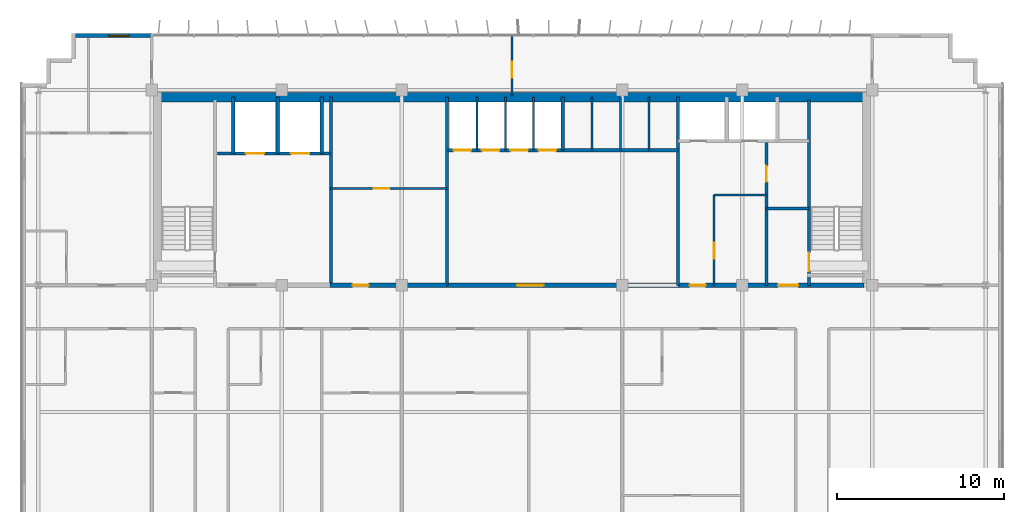
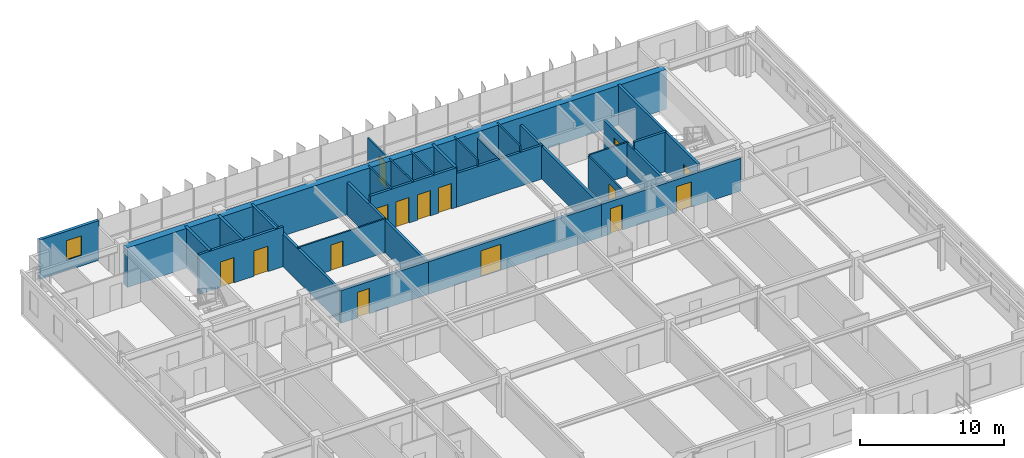
# One storey, part 21 of 24: 28 walls, 15 doors, 1 window, 16 openings.
"""IFC4 building model written with IfcOpenShell, lengths in metres."""

from ifc_helpers import new_model, si_unit, direction, frame, frame_2d, origin, place, context, subcontext, project, spatial, rectangle, extrude, source, transform, mapped, material, layer, layer_set, type_object, element, fill, save


model = new_model("IFC4")

# Units and contexts
model_context = context("Model", 3, precision=1e-05, world=origin(), true_north=direction((0.0, 1.0)))
body_context = subcontext(model_context, "Body", "Model", "MODEL_VIEW")
ifc_project = project(units=[si_unit("LENGTHUNIT", "METRE"), si_unit("AREAUNIT", "SQUARE_METRE"), si_unit("VOLUMEUNIT", "CUBIC_METRE"), si_unit("PLANEANGLEUNIT", "RADIAN"), si_unit("MASSUNIT", "GRAM", prefix="KILO")], contexts=[model_context])

# Site, building, storey
site_placement = place(None, origin())
site = spatial("IfcSite", under=ifc_project, at=site_placement, CompositionType="ELEMENT")
building_placement = place(site_placement, origin())
building = spatial("IfcBuilding", under=site, at=building_placement, Name="Trelvane Seafront Commons", CompositionType="ELEMENT")
storey_placement = place(building_placement, frame((0.0, 0.0, 175.300048828125)))
storey = spatial("IfcBuildingStorey", under=building, at=storey_placement, Name="L46", CompositionType="ELEMENT", Elevation=175.300048828125)

# Wall, opening, window
ifc_material_1 = material(Name="Precast concrete C40/50", Category="concrete")
ifc_layer_1 = layer(ifc_material_1, 0.239990234375, Name="ARCH-WALL-EXT240")
ifc_layer_set_1 = layer_set([ifc_layer_1], Name="Precast concrete C40/50")
wall_type_1 = type_object("IfcWallType", Name="ARCH-WALL-EXT240", PredefinedType="SOLIDWALL", material=ifc_layer_set_1)
wall_1_placement = place(storey_placement, frame((10.89990234375, 48.3701171875, 0.0), z_axis=(0.0, 0.0, 1.0), x_axis=(1.0, 0.0, 0.0)))
wall_1 = element("IfcWall", 1, at=wall_1_placement, inside=storey, type_object=wall_type_1, Name="EW-L46-NW-0909", PredefinedType="SOLIDWALL", context=body_context, shape_type="SweptSolid", body=[
    extrude(rectangle(XDim=4.7001953125, YDim=0.239990234375, at=frame_2d((2.35009765625, 0.0))), origin(), (0.0, 0.0, 1.0), 3.349853515625),
])
opening_1_placement = place(wall_1_placement, frame((2.132080078125, 0.0, 0.89990234375)))
opening_1 = element("IfcOpeningElement", 2, at=opening_1_placement, cuts=wall_1, Name="Opening W05", PredefinedType="OPENING", context=body_context, shape_type="SweptSolid", body=[
    extrude(rectangle(XDim=1.199951171875, YDim=1.64990234375, at=frame_2d((0.60009765625, 0.824951171875))), frame((0.0, 0.1298828125, 0.0), z_axis=(0.0, -1.0, 0.0), x_axis=(1.0, 0.0, 0.0)), (0.0, 0.0, 1.0), 0.260009765625),
])
ifc_material_2 = material(Name="Low-E coastal double glazing", Category="glass")
window_type = type_object("IfcWindowType", Name="ARCH-WIN-W05", PartitioningType="SINGLE_PANEL", PredefinedType="WINDOW", material=ifc_material_2)
shared_shape_1 = source(origin(), body_context, "Body", "SweptSolid", [
    extrude(rectangle(XDim=1.199951171875, YDim=1.64990234375, at=frame_2d((0.60009765625, 0.824951171875))), frame((0.0, 0.030029296875, 0.0), z_axis=(0.0, -1.0, 0.0), x_axis=(1.0, 0.0, 0.0)), (0.0, 0.0, 1.0), 0.06005859375),
])
window_placement = place(opening_1_placement, origin())
window = element("IfcWindow", 3, at=window_placement, inside=storey, type_object=window_type, Name="WIN-L46-01090", OverallHeight=1.64990234375, OverallWidth=1.199951171875, PartitioningType="SINGLE_PANEL", PredefinedType="WINDOW", context=body_context, shape_type="MappedRepresentation", body=[
    mapped(shared_shape_1, transform((0.0, 0.0, 0.0), x_axis=(1.0, 0.0, 0.0), y_axis=(0.0, 1.0, 0.0), z_axis=(0.0, 0.0, 1.0), scale=1.0)),
])
fill(opening_1, window)

# Wall, opening, door
ifc_material_3 = material(Name="Concrete C40/50", Category="concrete")
ifc_layer_2 = layer(ifc_material_3, 0.199951171875, Name="ARCH-WALL-FIRE200")
ifc_layer_set_2 = layer_set([ifc_layer_2], Name="Concrete C40/50")
wall_type_2 = type_object("IfcWallType", Name="ARCH-WALL-FIRE200", PredefinedType="PARTITIONING", material=ifc_layer_set_2)
wall_2_placement = place(storey_placement, frame((52.449951171875, 33.39990234375, 0.0), z_axis=(0.0, 0.0, 1.0), x_axis=(0.0, 1.0, 0.0)))
wall_2 = element("IfcWall", 4, at=wall_2_placement, inside=storey, type_object=wall_type_2, Name="W-L46-ST2V-W-031", PredefinedType="PARTITIONING", context=body_context, shape_type="SweptSolid", body=[
    extrude(rectangle(XDim=8.650146484375, YDim=0.199951171875, at=frame_2d((4.3251953125, 0.0))), origin(), (0.0, 0.0, 1.0), 2.75),
])
opening_2_placement = place(wall_2_placement, frame((6.199951171875, 0.0, 0.0)))
opening_2 = element("IfcOpeningElement", 5, at=opening_2_placement, cuts=wall_2, Name="Opening FD-L46-15", PredefinedType="OPENING", context=body_context, shape_type="SweptSolid", body=[
    extrude(rectangle(XDim=0.949951171875, YDim=2.14990234375, at=frame_2d((0.47509765625, 1.074951171875))), frame((0.0, 0.10986328125, 0.0), z_axis=(0.0, -1.0, 0.0), x_axis=(1.0, 0.0, 0.0)), (0.0, 0.0, 1.0), 0.219970703125),
])
ifc_material_4 = material(Name="Powder-coated aluminium frame", Category="aluminium")
door_type_1 = type_object("IfcDoorType", Name="ARCH-DR-FD60-950", OperationType="NOTDEFINED", PredefinedType="DOOR", material=ifc_material_4)
shared_shape_2 = source(origin(), body_context, "Body", "SweptSolid", [
    extrude(rectangle(XDim=0.949951171875, YDim=2.14990234375, at=frame_2d((0.47509765625, 1.074951171875))), frame((0.0, 0.02490234375, 0.0), z_axis=(0.0, -1.0, 0.0), x_axis=(1.0, 0.0, 0.0)), (0.0, 0.0, 1.0), 0.050048828125),
])
door_1_placement = place(opening_2_placement, origin())
door_1 = element("IfcDoor", 6, at=door_1_placement, inside=storey, type_object=door_type_1, Name="L46 Cleaner Store Door", OperationType="SINGLE_SWING_LEFT", OverallHeight=2.14990234375, OverallWidth=0.949951171875, PredefinedType="DOOR", context=body_context, shape_type="MappedRepresentation", body=[
    mapped(shared_shape_2, transform((0.0, 0.0, 0.0), x_axis=(1.0, 0.0, 0.0), y_axis=(0.0, 1.0, 0.0), z_axis=(0.0, 0.0, 1.0), scale=1.0)),
])
fill(opening_2, door_1)

# Wall
wall_3_placement = place(storey_placement, frame((52.449951171875, 38.0, 0.0), z_axis=(0.0, 0.0, 1.0), x_axis=(1.0, 0.0, 0.0)))
element("IfcWall", 7, at=wall_3_placement, inside=storey, type_object=wall_type_2, Name="W-L46-ST2V-N-032", PredefinedType="PARTITIONING", context=body_context, shape_type="SweptSolid", body=[
    extrude(rectangle(XDim=2.550048828125, YDim=0.199951171875, at=frame_2d((1.27490234375, 0.0))), origin(), (0.0, 0.0, 1.0), 3.349853515625),
])

# Wall, opening, door
ifc_layer_3 = layer(ifc_material_3, 0.25, Name="ARCH-WALL-FIRE250")
ifc_layer_set_3 = layer_set([ifc_layer_3], Name="Concrete C40/50")
wall_type_3 = type_object("IfcWallType", Name="ARCH-WALL-FIRE250", PredefinedType="PARTITIONING", material=ifc_layer_set_3)
wall_4_placement = place(storey_placement, frame((26.300048828125, 33.39990234375, 0.0), z_axis=(0.0, 0.0, 1.0), x_axis=(1.0, 0.0, 0.0)))
wall_4 = element("IfcWall", 8, at=wall_4_placement, inside=storey, type_object=wall_type_3, Name="W-L46-CS-FPL-026", PredefinedType="PARTITIONING", context=body_context, shape_type="SweptSolid", body=[
    extrude(rectangle(XDim=7.0, YDim=0.25, at=frame_2d((3.5, 0.0))), origin(), (0.0, 0.0, 1.0), 2.75),
])
opening_3_placement = place(wall_4_placement, frame((1.35009765625, 0.0, 0.0)))
opening_3 = element("IfcOpeningElement", 9, at=opening_3_placement, cuts=wall_4, Name="Opening D-L46-11", PredefinedType="OPENING", context=body_context, shape_type="SweptSolid", body=[
    extrude(rectangle(XDim=0.949951171875, YDim=2.14990234375, at=frame_2d((0.47509765625, 1.074951171875))), frame((0.0, 0.135009765625, 0.0), z_axis=(0.0, -1.0, 0.0), x_axis=(1.0, 0.0, 0.0)), (0.0, 0.0, 1.0), 0.27001953125),
])
ifc_material_5 = material(Name="Acoustic timber door leaf", Category="wood")
door_type_2 = type_object("IfcDoorType", Name="ARCH-DR-INT950", OperationType="NOTDEFINED", PredefinedType="DOOR", material=ifc_material_5)
door_2_placement = place(opening_3_placement, origin())
door_2 = element("IfcDoor", 10, at=door_2_placement, inside=storey, type_object=door_type_2, Name="L46 Floor Pantry Entrance Door", OperationType="SINGLE_SWING_LEFT", OverallHeight=2.14990234375, OverallWidth=0.949951171875, PredefinedType="DOOR", context=body_context, shape_type="MappedRepresentation", body=[
    mapped(shared_shape_2, transform((0.0, 0.0, 0.0), x_axis=(1.0, 0.0, 0.0), y_axis=(0.0, 1.0, 0.0), z_axis=(0.0, 0.0, 1.0), scale=1.0)),
])
fill(opening_3, door_2)

wall_5_placement = place(storey_placement, frame((33.300048828125, 33.39990234375, 0.0), z_axis=(0.0, 0.0, 1.0), x_axis=(1.0, 0.0, 0.0)))
wall_5 = element("IfcWall", 11, at=wall_5_placement, inside=storey, type_object=wall_type_3, Name="W-L46-CS-PAX-027", PredefinedType="PARTITIONING", context=body_context, shape_type="SweptSolid", body=[
    extrude(rectangle(XDim=13.849853515625, YDim=0.25, at=frame_2d((6.9248046875, 0.0))), origin(), (0.0, 0.0, 1.0), 2.75),
])
opening_4_placement = place(wall_5_placement, frame((4.199951171875, 0.0, 0.0)))
opening_4 = element("IfcOpeningElement", 12, at=opening_4_placement, cuts=wall_5, Name="Opening FD-L46-12", PredefinedType="OPENING", context=body_context, shape_type="SweptSolid", body=[
    extrude(rectangle(XDim=1.60009765625, YDim=2.199951171875, at=frame_2d((0.800048828125, 1.10009765625))), frame((0.0, 0.135009765625, 0.0), z_axis=(0.0, -1.0, 0.0), x_axis=(1.0, 0.0, 0.0)), (0.0, 0.0, 1.0), 0.27001953125),
])
door_type_3 = type_object("IfcDoorType", Name="ARCH-DR-FD60-1600", OperationType="DOUBLE_DOOR_SINGLE_SWING", PredefinedType="DOOR", material=ifc_material_4)
shared_shape_3 = source(origin(), body_context, "Body", "SweptSolid", [
    extrude(rectangle(XDim=1.60009765625, YDim=2.199951171875, at=frame_2d((0.800048828125, 1.10009765625))), frame((0.0, 0.02490234375, 0.0), z_axis=(0.0, -1.0, 0.0), x_axis=(1.0, 0.0, 0.0)), (0.0, 0.0, 1.0), 0.050048828125),
])
door_3_placement = place(opening_4_placement, origin())
door_3 = element("IfcDoor", 13, at=door_3_placement, inside=storey, type_object=door_type_3, Name="L46 Passenger Lift Lobby Double Door", OperationType="DOUBLE_DOOR_SINGLE_SWING", OverallHeight=2.199951171875, OverallWidth=1.60009765625, PredefinedType="DOOR", context=body_context, shape_type="MappedRepresentation", body=[
    mapped(shared_shape_3, transform((0.0, 0.0, 0.0), x_axis=(1.0, 0.0, 0.0), y_axis=(0.0, 1.0, 0.0), z_axis=(0.0, 0.0, 1.0), scale=1.0)),
])
fill(opening_4, door_3)

# Wall, openings, doors
wall_6_placement = place(storey_placement, frame((47.14990234375, 33.39990234375, 0.0), z_axis=(0.0, 0.0, 1.0), x_axis=(1.0, 0.0, 0.0)))
wall_6 = element("IfcWall", 14, at=wall_6_placement, inside=storey, type_object=wall_type_3, Name="W-L46-CS-EAST-035", PredefinedType="PARTITIONING", context=body_context, shape_type="SweptSolid", body=[
    extrude(rectangle(XDim=11.150146484375, YDim=0.25, at=frame_2d((5.5751953125, 0.0))), origin(), (0.0, 0.0, 1.0), 2.75),
])
opening_5_placement = place(wall_6_placement, frame((0.699951171875, 0.0, 0.0)))
opening_5 = element("IfcOpeningElement", 15, at=opening_5_placement, cuts=wall_6, Name="Opening FD-L46-17", PredefinedType="OPENING", context=body_context, shape_type="SweptSolid", body=[
    extrude(rectangle(XDim=0.949951171875, YDim=2.14990234375, at=frame_2d((0.47509765625, 1.074951171875))), frame((0.0, 0.135009765625, 0.0), z_axis=(0.0, -1.0, 0.0), x_axis=(1.0, 0.0, 0.0)), (0.0, 0.0, 1.0), 0.27001953125),
])
opening_6_placement = place(wall_6_placement, frame((6.0, 0.0, 0.0)))
opening_6 = element("IfcOpeningElement", 16, at=opening_6_placement, cuts=wall_6, Name="Opening FD-L46-18", PredefinedType="OPENING", context=body_context, shape_type="SweptSolid", body=[
    extrude(rectangle(XDim=1.199951171875, YDim=2.14990234375, at=frame_2d((0.60009765625, 1.074951171875))), frame((0.0, 0.135009765625, 0.0), z_axis=(0.0, -1.0, 0.0), x_axis=(1.0, 0.0, 0.0)), (0.0, 0.0, 1.0), 0.27001953125),
])
door_4_placement = place(opening_5_placement, origin())
door_4 = element("IfcDoor", 17, at=door_4_placement, inside=storey, type_object=door_type_1, Name="L46 Core Service Lobby Door", OperationType="SINGLE_SWING_LEFT", OverallHeight=2.14990234375, OverallWidth=0.949951171875, PredefinedType="DOOR", context=body_context, shape_type="MappedRepresentation", body=[
    mapped(shared_shape_2, transform((0.0, 0.0, 0.0), x_axis=(1.0, 0.0, 0.0), y_axis=(0.0, 1.0, 0.0), z_axis=(0.0, 0.0, 1.0), scale=1.0)),
])
fill(opening_5, door_4)
door_type_4 = type_object("IfcDoorType", Name="ARCH-DR-FD60-1200", OperationType="NOTDEFINED", PredefinedType="DOOR", material=ifc_material_4)
shared_shape_4 = source(origin(), body_context, "Body", "SweptSolid", [
    extrude(rectangle(XDim=1.199951171875, YDim=2.14990234375, at=frame_2d((0.60009765625, 1.074951171875))), frame((0.0, 0.02490234375, 0.0), z_axis=(0.0, -1.0, 0.0), x_axis=(1.0, 0.0, 0.0)), (0.0, 0.0, 1.0), 0.050048828125),
])
door_5_placement = place(opening_6_placement, origin())
door_5 = element("IfcDoor", 18, at=door_5_placement, inside=storey, type_object=door_type_4, Name="L46 East Stair Vestibule Fire Door", OperationType="SINGLE_SWING_RIGHT", OverallHeight=2.14990234375, OverallWidth=1.199951171875, PredefinedType="DOOR", context=body_context, shape_type="MappedRepresentation", body=[
    mapped(shared_shape_4, transform((0.0, 0.0, 0.0), x_axis=(1.0, 0.0, 0.0), y_axis=(0.0, 1.0, 0.0), z_axis=(0.0, 0.0, 1.0), scale=1.0)),
])
fill(opening_6, door_5)

# Wall, opening, door
ifc_material_6 = material(Name="Gypsum Drywall Acoustic Partition")
ifc_layer_4 = layer(ifc_material_6, 0.1201171875, Name="ARCH-WALL-PART120")
ifc_layer_set_4 = layer_set([ifc_layer_4], Name="Gypsum Drywall Acoustic Partition")
wall_type_4 = type_object("IfcWallType", Name="ARCH-WALL-PART120", PredefinedType="PARTITIONING", material=ifc_layer_set_4)
wall_7_placement = place(storey_placement, frame((26.300048828125, 39.199951171875, 0.0), z_axis=(0.0, 0.0, 1.0), x_axis=(1.0, 0.0, 0.0)))
wall_7 = element("IfcWall", 19, at=wall_7_placement, inside=storey, type_object=wall_type_4, Name="W-L46-FREED-PL-MID-014", PredefinedType="PARTITIONING", context=body_context, shape_type="SweptSolid", body=[
    extrude(rectangle(XDim=7.0, YDim=0.1201171875, at=frame_2d((3.5, 0.0))), origin(), (0.0, 0.0, 1.0), 2.849853515625),
])
opening_7_placement = place(wall_7_placement, frame((2.60009765625, 0.0, 0.0)))
opening_7 = element("IfcOpeningElement", 20, at=opening_7_placement, cuts=wall_7, Name="Opening D-L46-06", PredefinedType="OPENING", context=body_context, shape_type="SweptSolid", body=[
    extrude(rectangle(XDim=0.949951171875, YDim=2.14990234375, at=frame_2d((0.47509765625, 1.074951171875))), frame((0.0, 0.070068359375, 0.0), z_axis=(0.0, -1.0, 0.0), x_axis=(1.0, 0.0, 0.0)), (0.0, 0.0, 1.0), 0.14013671875),
])
door_6_placement = place(opening_7_placement, origin())
door_6 = element("IfcDoor", 21, at=door_6_placement, inside=storey, type_object=door_type_2, Name="L46 Housekeeping Store Door", OperationType="SINGLE_SWING_RIGHT", OverallHeight=2.14990234375, OverallWidth=0.949951171875, PredefinedType="DOOR", context=body_context, shape_type="MappedRepresentation", body=[
    mapped(shared_shape_2, transform((0.0, 0.0, 0.0), x_axis=(1.0, 0.0, 0.0), y_axis=(0.0, 1.0, 0.0), z_axis=(0.0, 0.0, 1.0), scale=1.0)),
])
fill(opening_7, door_6)

# Walls
for number, where, z_axis, x_axis, name in (
    (22, (35.10009765625, 41.5, 0.0), (0.0, 0.0, 1.0), (0.0, 1.0, 0.0), "W-L46-PM-DIV1-017"),
    (23, (36.800048828125, 41.5, 0.0), (0.0, 0.0, 1.0), (0.0, 1.0, 0.0), "W-L46-PM-DIV2-018"),
    (24, (38.5, 41.5, 0.0), (0.0, 0.0, 1.0), (0.0, 1.0, 0.0), "W-L46-PM-DIV3-019"),
    (25, (42.0, 41.5, 0.0), (0.0, 0.0, 1.0), (0.0, 1.0, 0.0), "W-L46-PH-DIV1-022"),
):
    element("IfcWall", number, at=place(storey_placement, frame(where, z_axis=z_axis, x_axis=x_axis)), inside=storey, type_object=wall_type_4, Name=name, PredefinedType="PARTITIONING", context=body_context, shape_type="SweptSolid", body=[
        extrude(rectangle(XDim=3.199951171875, YDim=0.1201171875, at=frame_2d((1.60009765625, 0.0))), origin(), (0.0, 0.0, 1.0), 3.349853515625),
    ])
wall_8_placement = place(storey_placement, frame((43.699951171875, 41.5, 0.0), z_axis=(0.0, 0.0, 1.0), x_axis=(0.0, 1.0, 0.0)))
element("IfcWall", 26, at=wall_8_placement, inside=storey, type_object=wall_type_4, Name="W-L46-PH-DIV2-023", PredefinedType="PARTITIONING", context=body_context, shape_type="SweptSolid", body=[
    extrude(rectangle(XDim=3.199951171875, YDim=0.1201171875, at=frame_2d((1.60009765625, 0.0))), origin(), (0.0, 0.0, 1.0), 2.849853515625),
])
wall_9_placement = place(storey_placement, frame((45.39990234375, 41.5, 0.0), z_axis=(0.0, 0.0, 1.0), x_axis=(0.0, 1.0, 0.0)))
element("IfcWall", 27, at=wall_9_placement, inside=storey, type_object=wall_type_4, Name="W-L46-PH-DIV3-024", PredefinedType="PARTITIONING", context=body_context, shape_type="SweptSolid", body=[
    extrude(rectangle(XDim=3.199951171875, YDim=0.1201171875, at=frame_2d((1.60009765625, 0.0))), origin(), (0.0, 0.0, 1.0), 3.349853515625),
])

# Wall, opening, door
wall_10_placement = place(storey_placement, frame((49.320068359375, 33.39990234375, 0.0), z_axis=(0.0, 0.0, 1.0), x_axis=(0.0, 1.0, 0.0)))
wall_10 = element("IfcWall", 28, at=wall_10_placement, inside=storey, type_object=wall_type_4, Name="W-L46-CYC2-V-033", PredefinedType="PARTITIONING", context=body_context, shape_type="SweptSolid", body=[
    extrude(rectangle(XDim=5.420166015625, YDim=0.1201171875, at=frame_2d((2.7099609375, 0.0))), origin(), (0.0, 0.0, 1.0), 2.75),
])
opening_8_placement = place(wall_10_placement, frame((1.60009765625, 0.0, 0.0)))
opening_8 = element("IfcOpeningElement", 29, at=opening_8_placement, cuts=wall_10, Name="Opening D-L46-16", PredefinedType="OPENING", context=body_context, shape_type="SweptSolid", body=[
    extrude(rectangle(XDim=0.949951171875, YDim=2.14990234375, at=frame_2d((0.47509765625, 1.074951171875))), frame((0.0, 0.070068359375, 0.0), z_axis=(0.0, -1.0, 0.0), x_axis=(1.0, 0.0, 0.0)), (0.0, 0.0, 1.0), 0.14013671875),
])
door_7_placement = place(opening_8_placement, origin())
door_7 = element("IfcDoor", 30, at=door_7_placement, inside=storey, type_object=door_type_2, Name="L46 Accessible WC Door", OperationType="SINGLE_SWING_RIGHT", OverallHeight=2.14990234375, OverallWidth=0.949951171875, PredefinedType="DOOR", context=body_context, shape_type="MappedRepresentation", body=[
    mapped(shared_shape_2, transform((0.0, 0.0, 0.0), x_axis=(1.0, 0.0, 0.0), y_axis=(0.0, 1.0, 0.0), z_axis=(0.0, 0.0, 1.0), scale=1.0)),
])
fill(opening_8, door_7)

# Wall
wall_11_placement = place(storey_placement, frame((49.320068359375, 38.820068359375, 0.0), z_axis=(0.0, 0.0, 1.0), x_axis=(1.0, 0.0, 0.0)))
element("IfcWall", 31, at=wall_11_placement, inside=storey, type_object=wall_type_4, Name="W-L46-CYC2-H-034", PredefinedType="PARTITIONING", context=body_context, shape_type="SweptSolid", body=[
    extrude(rectangle(XDim=3.1298828125, YDim=0.1201171875, at=frame_2d((1.56494140625, 0.0))), origin(), (0.0, 0.0, 1.0), 2.849853515625),
])

# Wall, opening, door
wall_12_placement = place(storey_placement, frame((37.199951171875, 44.75, 0.0), z_axis=(0.0, 0.0, 1.0), x_axis=(0.0, 1.0, 0.0)))
wall_12 = element("IfcWall", 32, at=wall_12_placement, inside=storey, type_object=wall_type_4, Name="W-L46-N-MID-DV-043", PredefinedType="PARTITIONING", context=body_context, shape_type="SweptSolid", body=[
    extrude(rectangle(XDim=3.610107421875, YDim=0.1201171875, at=frame_2d((1.80517578125, 0.0))), origin(), (0.0, 0.0, 1.0), 2.75),
])
opening_9_placement = place(wall_12_placement, frame((1.10009765625, 0.0, 0.0)))
opening_9 = element("IfcOpeningElement", 33, at=opening_9_placement, cuts=wall_12, Name="Opening D-L46-24", PredefinedType="OPENING", context=body_context, shape_type="SweptSolid", body=[
    extrude(rectangle(XDim=0.949951171875, YDim=2.14990234375, at=frame_2d((0.47509765625, 1.074951171875))), frame((0.0, 0.070068359375, 0.0), z_axis=(0.0, -1.0, 0.0), x_axis=(1.0, 0.0, 0.0)), (0.0, 0.0, 1.0), 0.14013671875),
])
door_8_placement = place(opening_9_placement, origin())
door_8 = element("IfcDoor", 34, at=door_8_placement, inside=storey, type_object=door_type_2, Name="L46 Door 24", OperationType="SINGLE_SWING_RIGHT", OverallHeight=2.14990234375, OverallWidth=0.949951171875, PredefinedType="DOOR", context=body_context, shape_type="MappedRepresentation", body=[
    mapped(shared_shape_2, transform((0.0, 0.0, 0.0), x_axis=(1.0, 0.0, 0.0), y_axis=(0.0, 1.0, 0.0), z_axis=(0.0, 0.0, 1.0), scale=1.0)),
])
fill(opening_9, door_8)

# Wall, openings, doors
ifc_layer_5 = layer(ifc_material_3, 0.199951171875, Name="ARCH-WALL-SHAFT200")
ifc_layer_set_5 = layer_set([ifc_layer_5], Name="Concrete C40/50")
wall_type_5 = type_object("IfcWallType", Name="ARCH-WALL-SHAFT200", PredefinedType="SOLIDWALL", material=ifc_layer_set_5)
wall_13_placement = place(storey_placement, frame((19.550048828125, 41.300048828125, 0.0), z_axis=(0.0, 0.0, 1.0), x_axis=(1.0, 0.0, 0.0)))
wall_13 = element("IfcWall", 35, at=wall_13_placement, inside=storey, type_object=wall_type_5, Name="W-L46-FFL-FRONT-008", PredefinedType="SOLIDWALL", context=body_context, shape_type="SweptSolid", body=[
    extrude(rectangle(XDim=6.75, YDim=0.199951171875, at=frame_2d((3.375, 0.0))), origin(), (0.0, 0.0, 1.0), 3.349853515625),
])
opening_10_placement = place(wall_13_placement, frame((1.699951171875, 0.0, 0.0)))
opening_10 = element("IfcOpeningElement", 36, at=opening_10_placement, cuts=wall_13, Name="Opening LD-FF1-L46", PredefinedType="OPENING", context=body_context, shape_type="SweptSolid", body=[
    extrude(rectangle(XDim=1.10009765625, YDim=2.14990234375, at=frame_2d((0.550048828125, 1.074951171875))), frame((0.0, 0.10986328125, 0.0), z_axis=(0.0, -1.0, 0.0), x_axis=(1.0, 0.0, 0.0)), (0.0, 0.0, 1.0), 0.219970703125),
])
opening_11_placement = place(wall_13_placement, frame((4.39990234375, 0.0, 0.0)))
opening_11 = element("IfcOpeningElement", 37, at=opening_11_placement, cuts=wall_13, Name="Opening LD-FF2-L46", PredefinedType="OPENING", context=body_context, shape_type="SweptSolid", body=[
    extrude(rectangle(XDim=1.10009765625, YDim=2.14990234375, at=frame_2d((0.550048828125, 1.074951171875))), frame((0.0, 0.10986328125, 0.0), z_axis=(0.0, -1.0, 0.0), x_axis=(1.0, 0.0, 0.0)), (0.0, 0.0, 1.0), 0.219970703125),
])
ifc_material_7 = material(Name="Stainless steel balustrade", Category="steel")
door_type_5 = type_object("IfcDoorType", Name="ARCH-DR-LD1100", OperationType="DOUBLE_DOOR_SLIDING", PredefinedType="DOOR", material=ifc_material_7)
shared_shape_5 = source(origin(), body_context, "Body", "SweptSolid", [
    extrude(rectangle(XDim=1.10009765625, YDim=2.14990234375, at=frame_2d((0.550048828125, 1.074951171875))), frame((0.0, 0.02490234375, 0.0), z_axis=(0.0, -1.0, 0.0), x_axis=(1.0, 0.0, 0.0)), (0.0, 0.0, 1.0), 0.050048828125),
])
door_9_placement = place(opening_10_placement, origin())
door_9 = element("IfcDoor", 38, at=door_9_placement, inside=storey, type_object=door_type_5, Name="L46 Firefighting Lift FFL-1 Landing Door", OperationType="DOUBLE_DOOR_SLIDING", OverallHeight=2.14990234375, OverallWidth=1.10009765625, PredefinedType="DOOR", context=body_context, shape_type="MappedRepresentation", body=[
    mapped(shared_shape_5, transform((0.0, 0.0, 0.0), x_axis=(1.0, 0.0, 0.0), y_axis=(0.0, 1.0, 0.0), z_axis=(0.0, 0.0, 1.0), scale=1.0)),
])
fill(opening_10, door_9)
door_10_placement = place(opening_11_placement, origin())
door_10 = element("IfcDoor", 39, at=door_10_placement, inside=storey, type_object=door_type_5, Name="L46 Firefighting Lift FFL-2 Landing Door", OperationType="DOUBLE_DOOR_SLIDING", OverallHeight=2.14990234375, OverallWidth=1.10009765625, PredefinedType="DOOR", context=body_context, shape_type="MappedRepresentation", body=[
    mapped(shared_shape_5, transform((0.0, 0.0, 0.0), x_axis=(1.0, 0.0, 0.0), y_axis=(0.0, 1.0, 0.0), z_axis=(0.0, 0.0, 1.0), scale=1.0)),
])
fill(opening_11, door_10)

# Walls
for number, where, z_axis, x_axis, name in (
    (40, (20.5, 41.300048828125, 0.0), (0.0, 0.0, 1.0), (0.0, 1.0, 0.0), "W-L46-FFL-SH-W-009"),
    (41, (23.14990234375, 41.300048828125, 0.0), (0.0, 0.0, 1.0), (0.0, 1.0, 0.0), "W-L46-FFL-DIV-010"),
    (42, (25.800048828125, 41.300048828125, 0.0), (0.0, 0.0, 1.0), (0.0, 1.0, 0.0), "W-L46-FFL-SH-E-011"),
):
    element("IfcWall", number, at=place(storey_placement, frame(where, z_axis=z_axis, x_axis=x_axis)), inside=storey, type_object=wall_type_5, Name=name, PredefinedType="SOLIDWALL", context=body_context, shape_type="SweptSolid", body=[
        extrude(rectangle(XDim=3.39990234375, YDim=0.199951171875, at=frame_2d((1.699951171875, 0.0))), origin(), (0.0, 0.0, 1.0), 3.349853515625),
    ])
for number, where, z_axis, x_axis, name in (
    (43, (26.35009765625, 33.39990234375, 0.0), (0.0, 0.0, 1.0), (0.0, 1.0, 0.0), "W-L46-FFL-EAST-012"),
    (44, (33.300048828125, 33.39990234375, 0.0), (0.0, 0.0, 1.0), (0.0, 1.0, 0.0), "W-L46-FREED-PL-E-015"),
):
    element("IfcWall", number, at=place(storey_placement, frame(where, z_axis=z_axis, x_axis=x_axis)), inside=storey, type_object=wall_type_5, Name=name, PredefinedType="SOLIDWALL", context=body_context, shape_type="SweptSolid", body=[
        extrude(rectangle(XDim=11.300048828125, YDim=0.199951171875, at=frame_2d((5.64990234375, 0.0))), origin(), (0.0, 0.0, 1.0), 2.75),
    ])

# Wall, openings, doors
wall_14_placement = place(storey_placement, frame((33.35009765625, 41.5, 0.0), z_axis=(0.0, 0.0, 1.0), x_axis=(1.0, 0.0, 0.0)))
wall_14 = element("IfcWall", 45, at=wall_14_placement, inside=storey, type_object=wall_type_5, Name="W-L46-PM-FRONT-016", PredefinedType="SOLIDWALL", context=body_context, shape_type="SweptSolid", body=[
    extrude(rectangle(XDim=6.89990234375, YDim=0.199951171875, at=frame_2d((3.449951171875, 0.0))), origin(), (0.0, 0.0, 1.0), 3.349853515625),
])
opening_12_placement = place(wall_14_placement, frame((0.35009765625, 0.0, 0.0)))
opening_12 = element("IfcOpeningElement", 46, at=opening_12_placement, cuts=wall_14, Name="Opening LD-PM1-L46", PredefinedType="OPENING", context=body_context, shape_type="SweptSolid", body=[
    extrude(rectangle(XDim=1.050048828125, YDim=2.14990234375, at=frame_2d((0.52490234375, 1.074951171875))), frame((0.0, 0.10986328125, 0.0), z_axis=(0.0, -1.0, 0.0), x_axis=(1.0, 0.0, 0.0)), (0.0, 0.0, 1.0), 0.219970703125),
])
opening_13_placement = place(wall_14_placement, frame((2.050048828125, 0.0, 0.0)))
opening_13 = element("IfcOpeningElement", 47, at=opening_13_placement, cuts=wall_14, Name="Opening LD-PM2-L46", PredefinedType="OPENING", context=body_context, shape_type="SweptSolid", body=[
    extrude(rectangle(XDim=1.050048828125, YDim=2.14990234375, at=frame_2d((0.52490234375, 1.074951171875))), frame((0.0, 0.10986328125, 0.0), z_axis=(0.0, -1.0, 0.0), x_axis=(1.0, 0.0, 0.0)), (0.0, 0.0, 1.0), 0.219970703125),
])
opening_14_placement = place(wall_14_placement, frame((3.75, 0.0, 0.0)))
opening_14 = element("IfcOpeningElement", 48, at=opening_14_placement, cuts=wall_14, Name="Opening LD-PM3-L46", PredefinedType="OPENING", context=body_context, shape_type="SweptSolid", body=[
    extrude(rectangle(XDim=1.050048828125, YDim=2.14990234375, at=frame_2d((0.52490234375, 1.074951171875))), frame((0.0, 0.10986328125, 0.0), z_axis=(0.0, -1.0, 0.0), x_axis=(1.0, 0.0, 0.0)), (0.0, 0.0, 1.0), 0.219970703125),
])
opening_15_placement = place(wall_14_placement, frame((5.449951171875, 0.0, 0.0)))
opening_15 = element("IfcOpeningElement", 49, at=opening_15_placement, cuts=wall_14, Name="Opening LD-PM4-L46", PredefinedType="OPENING", context=body_context, shape_type="SweptSolid", body=[
    extrude(rectangle(XDim=1.050048828125, YDim=2.14990234375, at=frame_2d((0.52490234375, 1.074951171875))), frame((0.0, 0.10986328125, 0.0), z_axis=(0.0, -1.0, 0.0), x_axis=(1.0, 0.0, 0.0)), (0.0, 0.0, 1.0), 0.219970703125),
])
door_type_6 = type_object("IfcDoorType", Name="ARCH-DR-LD1050", OperationType="DOUBLE_DOOR_SLIDING", PredefinedType="DOOR", material=ifc_material_7)
shared_shape_6 = source(origin(), body_context, "Body", "SweptSolid", [
    extrude(rectangle(XDim=1.050048828125, YDim=2.14990234375, at=frame_2d((0.52490234375, 1.074951171875))), frame((0.0, 0.02490234375, 0.0), z_axis=(0.0, -1.0, 0.0), x_axis=(1.0, 0.0, 0.0)), (0.0, 0.0, 1.0), 0.050048828125),
])
door_11_placement = place(opening_12_placement, origin())
door_11 = element("IfcDoor", 50, at=door_11_placement, inside=storey, type_object=door_type_6, Name="L46 Passenger Lift PM-1 Landing Door", OperationType="DOUBLE_DOOR_SLIDING", OverallHeight=2.14990234375, OverallWidth=1.050048828125, PredefinedType="DOOR", context=body_context, shape_type="MappedRepresentation", body=[
    mapped(shared_shape_6, transform((0.0, 0.0, 0.0), x_axis=(1.0, 0.0, 0.0), y_axis=(0.0, 1.0, 0.0), z_axis=(0.0, 0.0, 1.0), scale=1.0)),
])
fill(opening_12, door_11)
door_12_placement = place(opening_13_placement, origin())
door_12 = element("IfcDoor", 51, at=door_12_placement, inside=storey, type_object=door_type_6, Name="L46 Passenger Lift PM-2 Landing Door", OperationType="DOUBLE_DOOR_SLIDING", OverallHeight=2.14990234375, OverallWidth=1.050048828125, PredefinedType="DOOR", context=body_context, shape_type="MappedRepresentation", body=[
    mapped(shared_shape_6, transform((0.0, 0.0, 0.0), x_axis=(1.0, 0.0, 0.0), y_axis=(0.0, 1.0, 0.0), z_axis=(0.0, 0.0, 1.0), scale=1.0)),
])
fill(opening_13, door_12)
door_13_placement = place(opening_14_placement, origin())
door_13 = element("IfcDoor", 52, at=door_13_placement, inside=storey, type_object=door_type_6, Name="L46 Passenger Lift PM-3 Landing Door", OperationType="DOUBLE_DOOR_SLIDING", OverallHeight=2.14990234375, OverallWidth=1.050048828125, PredefinedType="DOOR", context=body_context, shape_type="MappedRepresentation", body=[
    mapped(shared_shape_6, transform((0.0, 0.0, 0.0), x_axis=(1.0, 0.0, 0.0), y_axis=(0.0, 1.0, 0.0), z_axis=(0.0, 0.0, 1.0), scale=1.0)),
])
fill(opening_14, door_13)
door_14_placement = place(opening_15_placement, origin())
door_14 = element("IfcDoor", 53, at=door_14_placement, inside=storey, type_object=door_type_6, Name="L46 Passenger Lift PM-4 Landing Door", OperationType="DOUBLE_DOOR_SLIDING", OverallHeight=2.14990234375, OverallWidth=1.050048828125, PredefinedType="DOOR", context=body_context, shape_type="MappedRepresentation", body=[
    mapped(shared_shape_6, transform((0.0, 0.0, 0.0), x_axis=(1.0, 0.0, 0.0), y_axis=(0.0, 1.0, 0.0), z_axis=(0.0, 0.0, 1.0), scale=1.0)),
])
fill(opening_15, door_14)

# Walls
wall_15_placement = place(storey_placement, frame((40.25, 41.5, 0.0), z_axis=(0.0, 0.0, 1.0), x_axis=(1.0, 0.0, 0.0)))
element("IfcWall", 54, at=wall_15_placement, inside=storey, type_object=wall_type_5, Name="W-L46-PH-FRONT-020", PredefinedType="SOLIDWALL", context=body_context, shape_type="SweptSolid", body=[
    extrude(rectangle(XDim=6.89990234375, YDim=0.199951171875, at=frame_2d((3.449951171875, 0.0))), origin(), (0.0, 0.0, 1.0), 2.849853515625),
])
wall_16_placement = place(storey_placement, frame((40.25, 41.5, 0.0), z_axis=(0.0, 0.0, 1.0), x_axis=(0.0, 1.0, 0.0)))
element("IfcWall", 55, at=wall_16_placement, inside=storey, type_object=wall_type_5, Name="W-L46-PH-WEST-SH-021", PredefinedType="SOLIDWALL", context=body_context, shape_type="SweptSolid", body=[
    extrude(rectangle(XDim=3.199951171875, YDim=0.199951171875, at=frame_2d((1.60009765625, 0.0))), origin(), (0.0, 0.0, 1.0), 3.349853515625),
])
wall_17_placement = place(storey_placement, frame((47.14990234375, 33.39990234375, 0.0), z_axis=(0.0, 0.0, 1.0), x_axis=(0.0, 1.0, 0.0)))
element("IfcWall", 56, at=wall_17_placement, inside=storey, type_object=wall_type_5, Name="W-L46-PH-EAST-025", PredefinedType="SOLIDWALL", context=body_context, shape_type="SweptSolid", body=[
    extrude(rectangle(XDim=11.300048828125, YDim=0.199951171875, at=frame_2d((5.64990234375, 0.0))), origin(), (0.0, 0.0, 1.0), 2.75),
])
ifc_material_8 = material(Name="Concrete C50/60", Category="concrete")
ifc_layer_6 = layer(ifc_material_8, 0.550048828125, Name="STR-WALL-CORE550")
ifc_layer_set_6 = layer_set([ifc_layer_6], Name="Concrete C50/60")
wall_type_6 = type_object("IfcWallType", Name="STR-WALL-CORE550", PredefinedType="SHEAR", material=ifc_layer_set_6)
wall_18_placement = place(storey_placement, frame((15.64990234375, 44.675048828125, 0.0), z_axis=(0.0, 0.0, 1.0), x_axis=(1.0, 0.0, 0.0)))
element("IfcWall", 57, at=wall_18_placement, inside=storey, type_object=wall_type_6, Name="W-L46-CN-ALL-001", PredefinedType="SHEAR", context=body_context, shape_type="SweptSolid", body=[
    extrude(rectangle(XDim=43.10009765625, YDim=0.550048828125, at=frame_2d((21.550048828125, 0.0))), origin(), (0.0, 0.0, 1.0), 3.349853515625),
])

# Wall, opening, door
ifc_layer_7 = layer(ifc_material_8, 0.199951171875, Name="STR-WALL-STAIR200")
ifc_layer_set_7 = layer_set([ifc_layer_7], Name="Concrete C50/60")
wall_type_7 = type_object("IfcWallType", Name="STR-WALL-STAIR200", PredefinedType="SHEAR", material=ifc_layer_set_7)
wall_19_placement = place(storey_placement, frame((55.0, 33.39990234375, 0.0), z_axis=(0.0, 0.0, 1.0), x_axis=(0.0, 1.0, 0.0)))
wall_19 = element("IfcWall", 58, at=wall_19_placement, inside=storey, type_object=wall_type_7, Name="W-L46-ST2-W-007", PredefinedType="SHEAR", context=body_context, shape_type="SweptSolid", body=[
    extrude(rectangle(XDim=11.10009765625, YDim=0.199951171875, at=frame_2d((5.550048828125, 0.0))), origin(), (0.0, 0.0, 1.0), 3.349853515625),
])
opening_16_placement = place(wall_19_placement, frame((0.85009765625, 0.0, 0.0)))
opening_16 = element("IfcOpeningElement", 59, at=opening_16_placement, cuts=wall_19, Name="Opening ST-D2-L46", PredefinedType="OPENING", context=body_context, shape_type="SweptSolid", body=[
    extrude(rectangle(XDim=1.10009765625, YDim=2.14990234375, at=frame_2d((0.550048828125, 1.074951171875))), frame((0.0, 0.10986328125, 0.0), z_axis=(0.0, -1.0, 0.0), x_axis=(1.0, 0.0, 0.0)), (0.0, 0.0, 1.0), 0.219970703125),
])
door_type_7 = type_object("IfcDoorType", Name="ARCH-DR-FD90-1100", OperationType="NOTDEFINED", PredefinedType="DOOR", material=ifc_material_4)
door_15_placement = place(opening_16_placement, origin())
door_15 = element("IfcDoor", 60, at=door_15_placement, inside=storey, type_object=door_type_7, Name="L46 Stair ST-2 Vestibule Fire Door", OperationType="SINGLE_SWING_RIGHT", OverallHeight=2.14990234375, OverallWidth=1.10009765625, PredefinedType="DOOR", context=body_context, shape_type="MappedRepresentation", body=[
    mapped(shared_shape_5, transform((0.0, 0.0, 0.0), x_axis=(1.0, 0.0, 0.0), y_axis=(0.0, 1.0, 0.0), z_axis=(0.0, 0.0, 1.0), scale=1.0)),
])
fill(opening_16, door_15)

save(model, "model.ifc")
